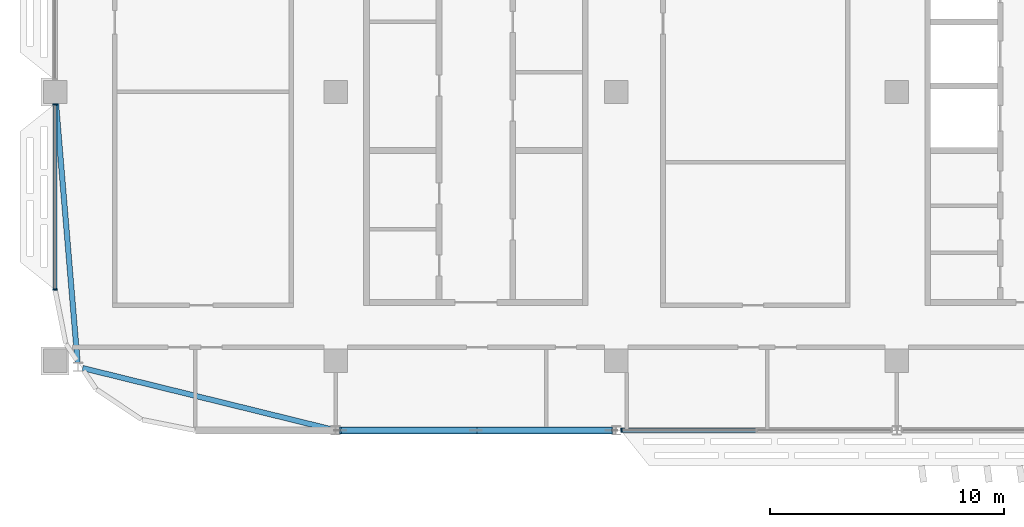
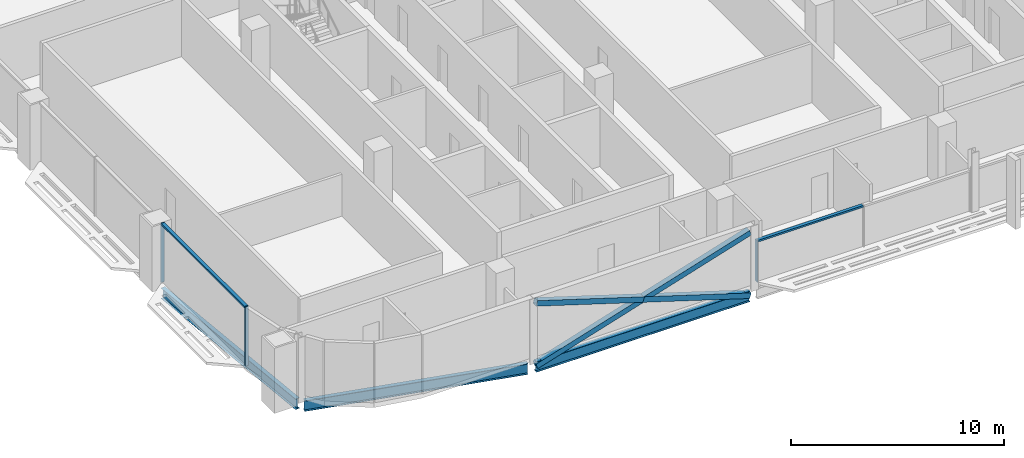
# One storey, part 5 of 33: 8 members, 3 beams, 2 elements without a shape of their own.
"""IFC4 building model written with IfcOpenShell, lengths in metres."""

from ifc_helpers import new_model, si_unit, direction, frame, origin, origin_2d, place, context, subcontext, project, spatial, rectangle, hollow_rectangle, i_section, extrude, material, material_profile, profile_set, type_object, element, aggregate, save


model = new_model("IFC4")

# Units and contexts
model_context = context("Model", 3, precision=1e-05, world=origin(), true_north=direction((0.0, 1.0)))
body_context = subcontext(model_context, "Body", "Model", "MODEL_VIEW")
ifc_project = project(units=[si_unit("LENGTHUNIT", "METRE"), si_unit("AREAUNIT", "SQUARE_METRE"), si_unit("VOLUMEUNIT", "CUBIC_METRE"), si_unit("PLANEANGLEUNIT", "RADIAN"), si_unit("MASSUNIT", "GRAM", prefix="KILO")], contexts=[model_context])

# Site, building, storey
site_placement = place(None, origin())
site = spatial("IfcSite", under=ifc_project, at=site_placement, CompositionType="ELEMENT")
building_placement = place(site_placement, origin())
building = spatial("IfcBuilding", under=site, at=building_placement, Name="Mahtab Terrace Research Tower", CompositionType="ELEMENT")
storey_placement = place(building_placement, frame((0.0, 0.0, 255.199951171875)))
storey = spatial("IfcBuildingStorey", under=building, at=storey_placement, Name="L62", CompositionType="ELEMENT", Elevation=255.199951171875)

# Members
ifc_material_1 = material(Name="Steel ASTM A500 Gr C", Category="steel")
ifc_material_profile_1 = material_profile(ifc_material_1, hollow_rectangle(XDim=0.3046875, YDim=0.3046875, WallThickness=0.015869140625, at=origin_2d()), Name="HSS12X12X5/8")
ifc_profile_set_1 = profile_set([ifc_material_profile_1], Name="Steel ASTM A500 Gr C")
member_type_1 = type_object("IfcMemberType", Name="HSS 12x12x5/8 brace XB121258", PredefinedType="BRACE", material=ifc_profile_set_1)
member_1_placement = place(storey_placement, frame((-29.800537109375, -14.472900390625, -0.581298828125), z_axis=(0.954704930232, 0.0, 0.297554190343), x_axis=(0.0, 1.0, 0.0)))
element("IfcMember", 1, at=member_1_placement, inside=storey, type_object=member_type_1, Name="Exoskeleton brace L62 13 a", PredefinedType="BRACE", context=body_context, shape_type="SweptSolid", body=[
    extrude(hollow_rectangle(XDim=0.3046875, YDim=0.3046875, WallThickness=0.015869140625, at=origin_2d()), origin(), (0.0, 0.0, 1.0), 12.1513671875),
])
for number, where, z_axis, x_axis, name in (
    (2, (-18.199462890625, -14.472900390625, -0.581298828125), (-0.954704930232, 0.0, 0.297554190343), (0.0, -1.0, 0.0), "Exoskeleton brace L62 13 b1"),
    (3, (-24.0, -14.472900390625, 1.2265625), (-0.954704930232, 0.0, 0.297554190343), (0.0, -1.0, 0.0), "Exoskeleton brace L62 13 b2"),
):
    element("IfcMember", number, at=place(storey_placement, frame(where, z_axis=z_axis, x_axis=x_axis)), inside=storey, type_object=member_type_1, Name=name, PredefinedType="BRACE", context=body_context, shape_type="SweptSolid", body=[
        extrude(hollow_rectangle(XDim=0.3046875, YDim=0.3046875, WallThickness=0.015869140625, at=origin_2d()), origin(), (0.0, 0.0, 1.0), 6.07568359375),
    ])

# Curtain wall, members
ifc_material_2 = material(Name="Office ribbon curtain wall")
curtain_wall_type = type_object("IfcCurtainWallType", Name="Office ribbon curtain wall", PredefinedType="NOTDEFINED", material=ifc_material_2)
curtain_wall_1_placement = place(storey_placement, origin())
curtain_wall_1 = element("IfcCurtainWall", 4, at=curtain_wall_1_placement, inside=storey, type_object=curtain_wall_type, Name="EN.L62.8.19", PredefinedType="NOTDEFINED")
ifc_material_3 = material(Name="Natural anodised aluminium", Category="aluminium")
ifc_material_profile_2 = material_profile(ifc_material_3, rectangle(XDim=0.179931640625, YDim=0.06005859375, at=origin_2d()), Name="MULLION 60x180")
ifc_profile_set_2 = profile_set([ifc_material_profile_2], Name="Natural anodised aluminium")
member_type_2 = type_object("IfcMemberType", Name="Office ribbon curtain wall mullion", PredefinedType="MULLION", material=ifc_profile_set_2)
member_2_placement = place(storey_placement, frame((-42.0, -0.530029296875, 0.0), z_axis=(0.0, 0.0, 1.0), x_axis=(1.0, 0.0, 0.0)))
member_2 = element("IfcMember", 5, at=member_2_placement, type_object=member_type_2, Name="CWO-7 mullion 1", PredefinedType="MULLION", context=body_context, shape_type="SweptSolid", body=[
    extrude(rectangle(XDim=0.179931640625, YDim=0.06005859375, at=origin_2d()), origin(), (0.0, 0.0, 1.0), 3.400146484375),
])
member_3_placement = place(storey_placement, frame((-42.0, -8.443115234375, 0.0), z_axis=(0.0, 0.0, 1.0), x_axis=(1.0, 0.0, 0.0)))
member_3 = element("IfcMember", 6, at=member_3_placement, type_object=member_type_2, Name="CWO-7 mullion 2", PredefinedType="MULLION", context=body_context, shape_type="SweptSolid", body=[
    extrude(rectangle(XDim=0.179931640625, YDim=0.06005859375, at=origin_2d()), origin(), (0.0, 0.0, 1.0), 3.400146484375),
])

# Curtain wall, member
curtain_wall_2_placement = place(storey_placement, origin())
curtain_wall_2 = element("IfcCurtainWall", 7, at=curtain_wall_2_placement, inside=storey, type_object=curtain_wall_type, Name="EN.L62.13.27", PredefinedType="NOTDEFINED")
member_4_placement = place(storey_placement, frame((-17.777099609375, -14.472900390625, 0.0), z_axis=(0.0, 0.0, 1.0), x_axis=(0.0, 1.0, 0.0)))
member_4 = element("IfcMember", 8, at=member_4_placement, type_object=member_type_2, Name="CWO-7 mullion 1", PredefinedType="MULLION", context=body_context, shape_type="SweptSolid", body=[
    extrude(rectangle(XDim=0.179931640625, YDim=0.06005859375, at=origin_2d()), origin(), (0.0, 0.0, 1.0), 2.4013671875),
])

# Member
ifc_material_profile_3 = material_profile(ifc_material_3, rectangle(XDim=0.179931640625, YDim=0.10009765625, at=origin_2d()), Name="TRANSOM 100x180")
ifc_profile_set_3 = profile_set([ifc_material_profile_3], Name="Natural anodised aluminium")
member_type_3 = type_object("IfcMemberType", Name="Office ribbon curtain wall transom", PredefinedType="USERDEFINED", material=ifc_profile_set_3)
member_5_placement = place(storey_placement, frame((-42.0, -0.56005859375, 3.35009765625), z_axis=(0.0, -1.0, 0.0), x_axis=(1.0, 0.0, 0.0)))
member_5 = element("IfcMember", 9, at=member_5_placement, type_object=member_type_3, Name="CWO-7 transom 1", ObjectType="TRANSOM", PredefinedType="USERDEFINED", context=body_context, shape_type="SweptSolid", body=[
    extrude(rectangle(XDim=0.179931640625, YDim=0.10009765625, at=origin_2d()), origin(), (0.0, 0.0, 1.0), 7.85302734375),
])

aggregate(curtain_wall_1, [member_2, member_3, member_5])

member_6_placement = place(storey_placement, frame((-17.7470703125, -14.472900390625, 2.351318359375), z_axis=(1.0, 0.0, 0.0), x_axis=(0.0, 1.0, 0.0)))
member_6 = element("IfcMember", 10, at=member_6_placement, type_object=member_type_3, Name="CWO-7 transom 1", ObjectType="TRANSOM", PredefinedType="USERDEFINED", context=body_context, shape_type="SweptSolid", body=[
    extrude(rectangle(XDim=0.179931640625, YDim=0.10009765625, at=origin_2d()), origin(), (0.0, 0.0, 1.0), 5.717041015625),
])

aggregate(curtain_wall_2, [member_4, member_6])

# Beams
ifc_material_4 = material(Name="Steel ASTM A992 Gr 50", Category="steel")
ifc_material_profile_4 = material_profile(ifc_material_4, i_section(OverallWidth=0.228271484375, OverallDepth=0.607177734375, WebThickness=0.01123046875, FlangeThickness=0.017333984375, at=origin_2d()), Name="W24X76")
ifc_profile_set_4 = profile_set([ifc_material_profile_4], Name="Steel ASTM A992 Gr 50")
beam_type = type_object("IfcBeamType", Name="W24x76 beam BS2476", PredefinedType="BEAM", material=ifc_profile_set_4)
beam_1_placement = place(storey_placement, frame((-41.958251953125, -0.5, -0.6435546875), z_axis=(0.082961772462, -0.996552730321, 0.0), x_axis=(0.996552730321, 0.082961772462, 0.0)))
element("IfcBeam", 11, at=beam_1_placement, inside=storey, type_object=beam_type, Name="Spandrel beam L62 11", PredefinedType="BEAM", context=body_context, shape_type="SweptSolid", body=[
    extrude(i_section(OverallWidth=0.228271484375, OverallDepth=0.607177734375, WebThickness=0.01123046875, FlangeThickness=0.017333984375, at=origin_2d()), origin(), (0.0, 0.0, 1.0), 11.103271484375),
])
beam_2_placement = place(storey_placement, frame((-40.821533203125, -11.80712890625, -0.6435546875), z_axis=(0.970971673225, -0.239194502014, 0.0), x_axis=(0.239194502014, 0.970971673225, 0.0)))
element("IfcBeam", 12, at=beam_2_placement, inside=storey, type_object=beam_type, Name="Spandrel beam L62 12", PredefinedType="BEAM", context=body_context, shape_type="SweptSolid", body=[
    extrude(i_section(OverallWidth=0.228271484375, OverallDepth=0.607177734375, WebThickness=0.01123046875, FlangeThickness=0.017333984375, at=origin_2d()), origin(), (0.0, 0.0, 1.0), 10.939697265625),
])
beam_3_placement = place(storey_placement, frame((-29.800537109375, -14.472900390625, -0.6435546875), z_axis=(1.0, 0.0, 0.0), x_axis=(0.0, 1.0, 0.0)))
element("IfcBeam", 13, at=beam_3_placement, inside=storey, type_object=beam_type, Name="Spandrel beam L62 13", PredefinedType="BEAM", context=body_context, shape_type="SweptSolid", body=[
    extrude(i_section(OverallWidth=0.228271484375, OverallDepth=0.607177734375, WebThickness=0.01123046875, FlangeThickness=0.017333984375, at=origin_2d()), origin(), (0.0, 0.0, 1.0), 11.60107421875),
])

save(model, "model.ifc")
